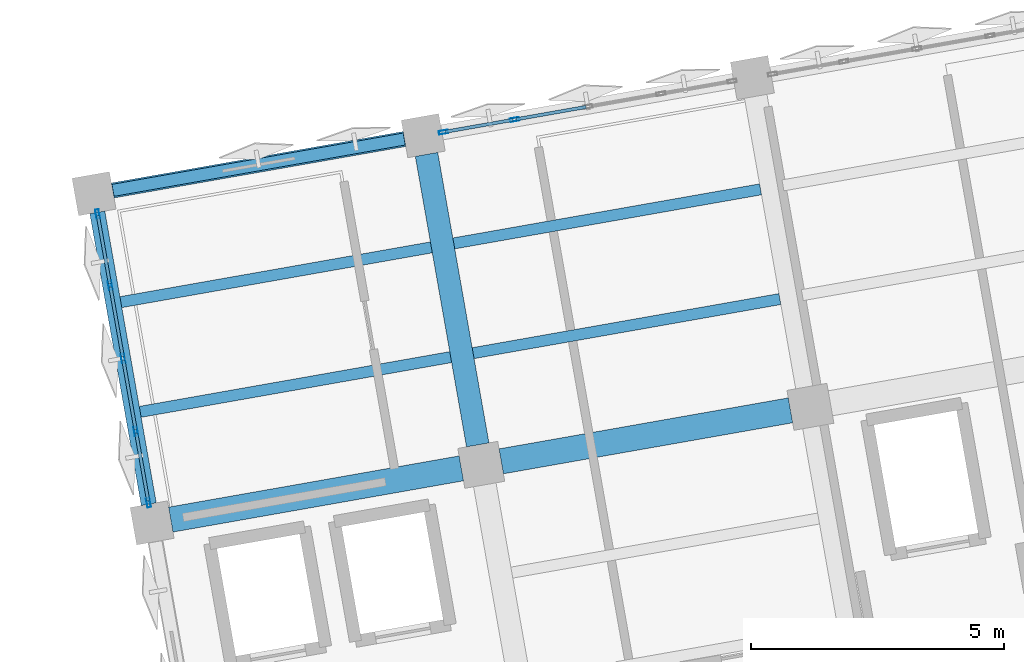
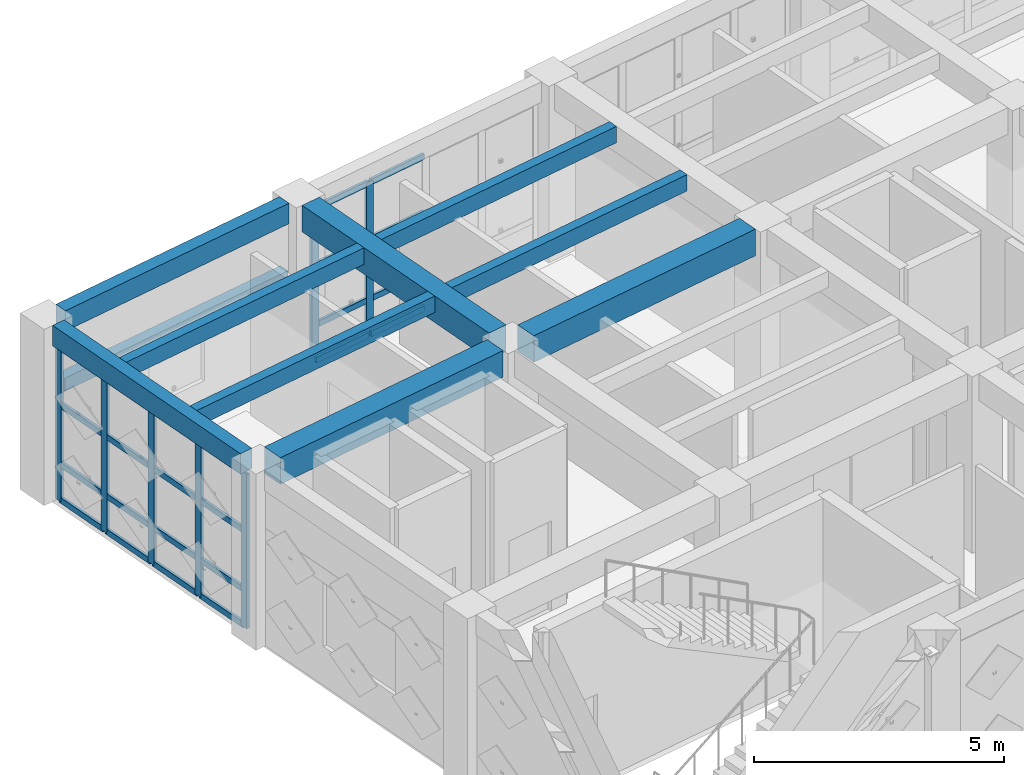
# One storey, part 20 of 80: 31 members, 10 beams, 2 elements without a shape of their own.
"""IFC4 building model written with IfcOpenShell, lengths in metres."""

from ifc_helpers import new_model, si_unit, direction, frame, origin, origin_2d, place, context, subcontext, project, spatial, rectangle, hollow_rectangle, extrude, material, layer, layer_set, material_profile, profile_set, type_object, element, aggregate, save


model = new_model("IFC4")

# Units and contexts
model_context = context("Model", 3, precision=1e-05, world=origin(), true_north=direction((0.0, 1.0)))
body_context = subcontext(model_context, "Body", "Model", "MODEL_VIEW")
ifc_project = project(units=[si_unit("LENGTHUNIT", "METRE"), si_unit("AREAUNIT", "SQUARE_METRE"), si_unit("VOLUMEUNIT", "CUBIC_METRE"), si_unit("PLANEANGLEUNIT", "RADIAN"), si_unit("MASSUNIT", "GRAM", prefix="KILO")], contexts=[model_context])

# Site, building, storey
site_placement = place(None, origin())
site = spatial("IfcSite", under=ifc_project, at=site_placement, CompositionType="ELEMENT")
building_placement = place(site_placement, origin())
building = spatial("IfcBuilding", under=site, at=building_placement, Name="Kharisveld Research Institute", CompositionType="ELEMENT")
storey_placement = place(building_placement, frame((0.0, 0.0, 5.10009765625)))
storey = spatial("IfcBuildingStorey", under=building, at=storey_placement, Name="L01", CompositionType="ELEMENT", Elevation=5.10009765625)

# Beams
ifc_material_1 = material(Name="Concrete C40/50", Category="concrete")
ifc_material_profile_1 = material_profile(ifc_material_1, rectangle(XDim=0.449951171875, YDim=0.64990234375, at=origin_2d()))
ifc_profile_set_1 = profile_set([ifc_material_profile_1], Name="Concrete C40/50")
beam_type_1 = type_object("IfcBeamType", Name="BM_RC_450x650", PredefinedType="BEAM", material=ifc_profile_set_1)
beam_1_placement = place(storey_placement, frame((9.338134765625, 49.549560546875, 3.98486328125), z_axis=(-0.173649041937, 0.984807600618, 0.0), x_axis=(-0.984807600618, -0.173649041937, 0.0)))
element("IfcBeam", 1, at=beam_1_placement, inside=storey, type_object=beam_type_1, Name="BM:V1:L01:V1_2", PredefinedType="BEAM", context=body_context, shape_type="SweptSolid", body=[
    extrude(rectangle(XDim=0.449951171875, YDim=0.64990234375, at=origin_2d()), origin(), (0.0, 0.0, 1.0), 5.82470703125),
])
ifc_material_2 = material(Name="Concrete C40/50", Category="concrete")
ifc_material_profile_2 = material_profile(ifc_material_2, rectangle(XDim=0.5, YDim=0.64990234375, at=origin_2d()))
ifc_profile_set_2 = profile_set([ifc_material_profile_2], Name="Concrete C40/50")
beam_type_2 = type_object("IfcBeamType", Name="BM_RC_500x650", PredefinedType="BEAM", material=ifc_profile_set_2)
beam_2_placement = place(storey_placement, frame((3.277099609375, 48.074462890625, 3.98486328125), z_axis=(0.984801696481, 0.173682522459, 0.0), x_axis=(-0.173682522459, 0.984801696481, 0.0)))
element("IfcBeam", 2, at=beam_2_placement, inside=storey, type_object=beam_type_2, Name="BM:V1:L01:U0_2", PredefinedType="BEAM", context=body_context, shape_type="SweptSolid", body=[
    extrude(rectangle(XDim=0.5, YDim=0.64990234375, at=origin_2d()), origin(), (0.0, 0.0, 1.0), 5.8251953125),
])
beam_3_placement = place(storey_placement, frame((9.801513671875, 49.22509765625, 3.98486328125), z_axis=(0.984810243831, 0.17363405094, 0.0), x_axis=(-0.17363405094, 0.984810243831, 0.0)))
element("IfcBeam", 3, at=beam_3_placement, inside=storey, type_object=beam_type_2, Name="BM:V1:L01:U1_2", PredefinedType="BEAM", context=body_context, shape_type="SweptSolid", body=[
    extrude(rectangle(XDim=0.5, YDim=0.64990234375, at=origin_2d()), origin(), (0.0, 0.0, 1.0), 5.800048828125),
])

# Curtain wall, members
ifc_material_3 = material(Name="Thermally Broken Aluminium Curtain Wall", Category="aluminium")
ifc_layer_1 = layer(ifc_material_3, 0.159912109375)
ifc_layer_set_1 = layer_set([ifc_layer_1], Name="CW_SYS_02")
curtain_wall_type_1 = type_object("IfcCurtainWallType", Name="CW_SYS_02", PredefinedType="NOTDEFINED", material=ifc_layer_set_1)
curtain_wall_1_placement = place(storey_placement, origin())
curtain_wall_1 = element("IfcCurtainWall", 4, at=curtain_wall_1_placement, inside=storey, type_object=curtain_wall_type_1, Name="CW:V1:L01:W2", PredefinedType="NOTDEFINED")
ifc_material_4 = material(Name="Anodised Aluminium AW-6063-T6", Category="aluminium")
ifc_material_profile_3 = material_profile(ifc_material_4, hollow_rectangle(XDim=0.070068359375, YDim=0.179931640625, WallThickness=0.00439453125, at=origin_2d()))
ifc_profile_set_3 = profile_set([ifc_material_profile_3], Name="Anodised Aluminium AW-6063-T6")
member_type_1 = type_object("IfcMemberType", Name="CW_MUL_180", PredefinedType="MULLION", material=ifc_profile_set_3)
member_1_placement = place(storey_placement, frame((2.83740234375, 48.408203125, 0.0), z_axis=(0.0, 0.0, 1.0), x_axis=(-0.984807765302, -0.173648107969, 0.0)))
member_1 = element("IfcMember", 5, at=member_1_placement, type_object=member_type_1, Name="CW-02 mullion 1", PredefinedType="MULLION", context=body_context, shape_type="SweptSolid", body=[
    extrude(hollow_rectangle(XDim=0.070068359375, YDim=0.179931640625, WallThickness=0.00439453125, at=origin_2d()), origin(), (0.0, 0.0, 1.0), 3.77978515625),
])
member_2_placement = place(storey_placement, frame((2.589111328125, 49.816650390625, 0.0), z_axis=(0.0, 0.0, 1.0), x_axis=(-0.984807765302, -0.173648107969, 0.0)))
member_2 = element("IfcMember", 6, at=member_2_placement, type_object=member_type_1, Name="CW-02 mullion 2", PredefinedType="MULLION", context=body_context, shape_type="SweptSolid", body=[
    extrude(hollow_rectangle(XDim=0.070068359375, YDim=0.179931640625, WallThickness=0.00439453125, at=origin_2d()), origin(), (0.0, 0.0, 1.0), 3.77978515625),
])
member_3_placement = place(storey_placement, frame((2.334716796875, 51.25927734375, 0.0), z_axis=(0.0, 0.0, 1.0), x_axis=(-0.984807765302, -0.173648107969, 0.0)))
member_3 = element("IfcMember", 7, at=member_3_placement, type_object=member_type_1, Name="CW-02 mullion 3", PredefinedType="MULLION", context=body_context, shape_type="SweptSolid", body=[
    extrude(hollow_rectangle(XDim=0.070068359375, YDim=0.179931640625, WallThickness=0.00439453125, at=origin_2d()), origin(), (0.0, 0.0, 1.0), 3.77978515625),
])
member_4_placement = place(storey_placement, frame((2.080322265625, 52.7021484375, 0.0), z_axis=(0.0, 0.0, 1.0), x_axis=(-0.984807765302, -0.173648107969, 0.0)))
member_4 = element("IfcMember", 8, at=member_4_placement, type_object=member_type_1, Name="CW-02 mullion 4", PredefinedType="MULLION", context=body_context, shape_type="SweptSolid", body=[
    extrude(hollow_rectangle(XDim=0.070068359375, YDim=0.179931640625, WallThickness=0.00439453125, at=origin_2d()), origin(), (0.0, 0.0, 1.0), 3.77978515625),
])
member_5_placement = place(storey_placement, frame((1.83203125, 54.1103515625, 0.0), z_axis=(0.0, 0.0, 1.0), x_axis=(-0.984807765302, -0.173648107969, 0.0)))
member_5 = element("IfcMember", 9, at=member_5_placement, type_object=member_type_1, Name="CW-02 mullion 5", PredefinedType="MULLION", context=body_context, shape_type="SweptSolid", body=[
    extrude(hollow_rectangle(XDim=0.070068359375, YDim=0.179931640625, WallThickness=0.00439453125, at=origin_2d()), origin(), (0.0, 0.0, 1.0), 3.77978515625),
])

ifc_material_5 = material(Name="Thermally Broken Aluminium Curtain Wall", Category="aluminium")
ifc_layer_2 = layer(ifc_material_5, 0.159912109375)
ifc_layer_set_2 = layer_set([ifc_layer_2], Name="CW_SYS_03")
curtain_wall_type_2 = type_object("IfcCurtainWallType", Name="CW_SYS_03", PredefinedType="NOTDEFINED", material=ifc_layer_set_2)
curtain_wall_2_placement = place(storey_placement, origin())
curtain_wall_2 = element("IfcCurtainWall", 10, at=curtain_wall_2_placement, inside=storey, type_object=curtain_wall_type_2, Name="CW:V1:L01:N1", PredefinedType="NOTDEFINED")
member_6_placement = place(storey_placement, frame((8.660400390625, 55.7255859375, 0.0), z_axis=(0.0, 0.0, 1.0), x_axis=(-0.173648137137, 0.984807760159, 0.0)))
member_6 = element("IfcMember", 11, at=member_6_placement, type_object=member_type_1, Name="CW-03 mullion 1", PredefinedType="MULLION", context=body_context, shape_type="SweptSolid", body=[
    extrude(hollow_rectangle(XDim=0.070068359375, YDim=0.179931640625, WallThickness=0.00439453125, at=origin_2d()), origin(), (0.0, 0.0, 1.0), 3.77978515625),
])
member_7_placement = place(storey_placement, frame((10.068603515625, 55.973876953125, 0.0), z_axis=(0.0, 0.0, 1.0), x_axis=(-0.173648137137, 0.984807760159, 0.0)))
member_7 = element("IfcMember", 12, at=member_7_placement, type_object=member_type_1, Name="CW-03 mullion 2", PredefinedType="MULLION", context=body_context, shape_type="SweptSolid", body=[
    extrude(hollow_rectangle(XDim=0.070068359375, YDim=0.179931640625, WallThickness=0.00439453125, at=origin_2d()), origin(), (0.0, 0.0, 1.0), 3.77978515625),
])

# Member
ifc_material_6 = material(Name="Anodised Aluminium AW-6063-T6", Category="aluminium")
ifc_material_profile_4 = material_profile(ifc_material_6, hollow_rectangle(XDim=0.06494140625, YDim=0.139892578125, WallThickness=0.00390625, at=origin_2d()))
ifc_profile_set_4 = profile_set([ifc_material_profile_4], Name="Anodised Aluminium AW-6063-T6")
member_type_2 = type_object("IfcMemberType", Name="CW_TRN_140", PredefinedType="USERDEFINED", material=ifc_profile_set_4)
member_8_placement = place(storey_placement, frame((2.83154296875, 48.44287109375, 0.032470703125), z_axis=(-0.173764852962, 0.984787172883, 0.0), x_axis=(-0.984787172883, -0.173764852962, 0.0)))
member_8 = element("IfcMember", 13, at=member_8_placement, type_object=member_type_2, Name="CW-02 transom 1.1", ObjectType="TRANSOM", PredefinedType="USERDEFINED", context=body_context, shape_type="SweptSolid", body=[
    extrude(hollow_rectangle(XDim=0.06494140625, YDim=0.139892578125, WallThickness=0.00390625, at=origin_2d()), origin(), (0.0, 0.0, 1.0), 1.360107421875),
])

member_9_placement = place(storey_placement, frame((2.83154296875, 48.44287109375, 0.89990234375), z_axis=(-0.173764852962, 0.984787172883, 0.0), x_axis=(-0.984787172883, -0.173764852962, 0.0)))
member_9 = element("IfcMember", 14, at=member_9_placement, type_object=member_type_2, Name="CW-02 transom 1.2", ObjectType="TRANSOM", PredefinedType="USERDEFINED", context=body_context, shape_type="SweptSolid", body=[
    extrude(hollow_rectangle(XDim=0.06494140625, YDim=0.139892578125, WallThickness=0.00390625, at=origin_2d()), origin(), (0.0, 0.0, 1.0), 1.360107421875),
])

member_10_placement = place(storey_placement, frame((2.83154296875, 48.44287109375, 2.349853515625), z_axis=(-0.173764852962, 0.984787172883, 0.0), x_axis=(-0.984787172883, -0.173764852962, 0.0)))
member_10 = element("IfcMember", 15, at=member_10_placement, type_object=member_type_2, Name="CW-02 transom 1.3", ObjectType="TRANSOM", PredefinedType="USERDEFINED", context=body_context, shape_type="SweptSolid", body=[
    extrude(hollow_rectangle(XDim=0.06494140625, YDim=0.139892578125, WallThickness=0.00390625, at=origin_2d()), origin(), (0.0, 0.0, 1.0), 1.360107421875),
])

member_11_placement = place(storey_placement, frame((2.83154296875, 48.44287109375, 3.747314453125), z_axis=(-0.173764852962, 0.984787172883, 0.0), x_axis=(-0.984787172883, -0.173764852962, 0.0)))
member_11 = element("IfcMember", 16, at=member_11_placement, type_object=member_type_2, Name="CW-02 transom 1.4", ObjectType="TRANSOM", PredefinedType="USERDEFINED", context=body_context, shape_type="SweptSolid", body=[
    extrude(hollow_rectangle(XDim=0.06494140625, YDim=0.139892578125, WallThickness=0.00390625, at=origin_2d()), origin(), (0.0, 0.0, 1.0), 1.360107421875),
])

member_12_placement = place(storey_placement, frame((2.5830078125, 49.85107421875, 0.032470703125), z_axis=(-0.173615601311, 0.984813496547, 0.0), x_axis=(-0.984813496547, -0.173615601311, 0.0)))
member_12 = element("IfcMember", 17, at=member_12_placement, type_object=member_type_2, Name="CW-02 transom 2.1", ObjectType="TRANSOM", PredefinedType="USERDEFINED", context=body_context, shape_type="SweptSolid", body=[
    extrude(hollow_rectangle(XDim=0.06494140625, YDim=0.139892578125, WallThickness=0.00390625, at=origin_2d()), origin(), (0.0, 0.0, 1.0), 1.39501953125),
])

member_13_placement = place(storey_placement, frame((2.5830078125, 49.85107421875, 0.89990234375), z_axis=(-0.173615601311, 0.984813496547, 0.0), x_axis=(-0.984813496547, -0.173615601311, 0.0)))
member_13 = element("IfcMember", 18, at=member_13_placement, type_object=member_type_2, Name="CW-02 transom 2.2", ObjectType="TRANSOM", PredefinedType="USERDEFINED", context=body_context, shape_type="SweptSolid", body=[
    extrude(hollow_rectangle(XDim=0.06494140625, YDim=0.139892578125, WallThickness=0.00390625, at=origin_2d()), origin(), (0.0, 0.0, 1.0), 1.39501953125),
])

member_14_placement = place(storey_placement, frame((2.5830078125, 49.85107421875, 2.349853515625), z_axis=(-0.173615601311, 0.984813496547, 0.0), x_axis=(-0.984813496547, -0.173615601311, 0.0)))
member_14 = element("IfcMember", 19, at=member_14_placement, type_object=member_type_2, Name="CW-02 transom 2.3", ObjectType="TRANSOM", PredefinedType="USERDEFINED", context=body_context, shape_type="SweptSolid", body=[
    extrude(hollow_rectangle(XDim=0.06494140625, YDim=0.139892578125, WallThickness=0.00390625, at=origin_2d()), origin(), (0.0, 0.0, 1.0), 1.39501953125),
])

member_15_placement = place(storey_placement, frame((2.5830078125, 49.85107421875, 3.747314453125), z_axis=(-0.173615601311, 0.984813496547, 0.0), x_axis=(-0.984813496547, -0.173615601311, 0.0)))
member_15 = element("IfcMember", 20, at=member_15_placement, type_object=member_type_2, Name="CW-02 transom 2.4", ObjectType="TRANSOM", PredefinedType="USERDEFINED", context=body_context, shape_type="SweptSolid", body=[
    extrude(hollow_rectangle(XDim=0.06494140625, YDim=0.139892578125, WallThickness=0.00390625, at=origin_2d()), origin(), (0.0, 0.0, 1.0), 1.39501953125),
])

member_16_placement = place(storey_placement, frame((2.32861328125, 51.293701171875, 0.032470703125), z_axis=(-0.173585682375, 0.984818770574, 0.0), x_axis=(-0.984818770574, -0.173585682375, 0.0)))
member_16 = element("IfcMember", 21, at=member_16_placement, type_object=member_type_2, Name="CW-02 transom 3.1", ObjectType="TRANSOM", PredefinedType="USERDEFINED", context=body_context, shape_type="SweptSolid", body=[
    extrude(hollow_rectangle(XDim=0.06494140625, YDim=0.139892578125, WallThickness=0.00390625, at=origin_2d()), origin(), (0.0, 0.0, 1.0), 1.395263671875),
])

member_17_placement = place(storey_placement, frame((2.32861328125, 51.293701171875, 0.89990234375), z_axis=(-0.173585682375, 0.984818770574, 0.0), x_axis=(-0.984818770574, -0.173585682375, 0.0)))
member_17 = element("IfcMember", 22, at=member_17_placement, type_object=member_type_2, Name="CW-02 transom 3.2", ObjectType="TRANSOM", PredefinedType="USERDEFINED", context=body_context, shape_type="SweptSolid", body=[
    extrude(hollow_rectangle(XDim=0.06494140625, YDim=0.139892578125, WallThickness=0.00390625, at=origin_2d()), origin(), (0.0, 0.0, 1.0), 1.395263671875),
])

member_18_placement = place(storey_placement, frame((2.32861328125, 51.293701171875, 2.349853515625), z_axis=(-0.173585682375, 0.984818770574, 0.0), x_axis=(-0.984818770574, -0.173585682375, 0.0)))
member_18 = element("IfcMember", 23, at=member_18_placement, type_object=member_type_2, Name="CW-02 transom 3.3", ObjectType="TRANSOM", PredefinedType="USERDEFINED", context=body_context, shape_type="SweptSolid", body=[
    extrude(hollow_rectangle(XDim=0.06494140625, YDim=0.139892578125, WallThickness=0.00390625, at=origin_2d()), origin(), (0.0, 0.0, 1.0), 1.395263671875),
])

member_19_placement = place(storey_placement, frame((2.32861328125, 51.293701171875, 3.747314453125), z_axis=(-0.173585682375, 0.984818770574, 0.0), x_axis=(-0.984818770574, -0.173585682375, 0.0)))
member_19 = element("IfcMember", 24, at=member_19_placement, type_object=member_type_2, Name="CW-02 transom 3.4", ObjectType="TRANSOM", PredefinedType="USERDEFINED", context=body_context, shape_type="SweptSolid", body=[
    extrude(hollow_rectangle(XDim=0.06494140625, YDim=0.139892578125, WallThickness=0.00390625, at=origin_2d()), origin(), (0.0, 0.0, 1.0), 1.395263671875),
])

member_20_placement = place(storey_placement, frame((2.07421875, 52.736572265625, 0.032470703125), z_axis=(-0.173590755813, 0.984817876308, 0.0), x_axis=(-0.984817876308, -0.173590755813, 0.0)))
member_20 = element("IfcMember", 25, at=member_20_placement, type_object=member_type_2, Name="CW-02 transom 4.1", ObjectType="TRANSOM", PredefinedType="USERDEFINED", context=body_context, shape_type="SweptSolid", body=[
    extrude(hollow_rectangle(XDim=0.06494140625, YDim=0.139892578125, WallThickness=0.00390625, at=origin_2d()), origin(), (0.0, 0.0, 1.0), 1.360107421875),
])

member_21_placement = place(storey_placement, frame((2.07421875, 52.736572265625, 0.89990234375), z_axis=(-0.173590755813, 0.984817876308, 0.0), x_axis=(-0.984817876308, -0.173590755813, 0.0)))
member_21 = element("IfcMember", 26, at=member_21_placement, type_object=member_type_2, Name="CW-02 transom 4.2", ObjectType="TRANSOM", PredefinedType="USERDEFINED", context=body_context, shape_type="SweptSolid", body=[
    extrude(hollow_rectangle(XDim=0.06494140625, YDim=0.139892578125, WallThickness=0.00390625, at=origin_2d()), origin(), (0.0, 0.0, 1.0), 1.360107421875),
])

member_22_placement = place(storey_placement, frame((2.07421875, 52.736572265625, 2.349853515625), z_axis=(-0.173590755813, 0.984817876308, 0.0), x_axis=(-0.984817876308, -0.173590755813, 0.0)))
member_22 = element("IfcMember", 27, at=member_22_placement, type_object=member_type_2, Name="CW-02 transom 4.3", ObjectType="TRANSOM", PredefinedType="USERDEFINED", context=body_context, shape_type="SweptSolid", body=[
    extrude(hollow_rectangle(XDim=0.06494140625, YDim=0.139892578125, WallThickness=0.00390625, at=origin_2d()), origin(), (0.0, 0.0, 1.0), 1.360107421875),
])

member_23_placement = place(storey_placement, frame((2.07421875, 52.736572265625, 3.747314453125), z_axis=(-0.173590755813, 0.984817876308, 0.0), x_axis=(-0.984817876308, -0.173590755813, 0.0)))
member_23 = element("IfcMember", 28, at=member_23_placement, type_object=member_type_2, Name="CW-02 transom 4.4", ObjectType="TRANSOM", PredefinedType="USERDEFINED", context=body_context, shape_type="SweptSolid", body=[
    extrude(hollow_rectangle(XDim=0.06494140625, YDim=0.139892578125, WallThickness=0.00390625, at=origin_2d()), origin(), (0.0, 0.0, 1.0), 1.360107421875),
])

aggregate(curtain_wall_1, [member_1, member_2, member_3, member_4, member_5, member_8, member_9, member_10, member_11, member_12, member_13, member_14, member_15, member_16, member_17, member_18, member_19, member_20, member_21, member_22, member_23])

member_24_placement = place(storey_placement, frame((8.69482421875, 55.731689453125, 0.032470703125), z_axis=(0.984817876308, 0.173590755813, 0.0), x_axis=(-0.173590755813, 0.984817876308, 0.0)))
member_24 = element("IfcMember", 29, at=member_24_placement, type_object=member_type_2, Name="CW-03 transom 1.1", ObjectType="TRANSOM", PredefinedType="USERDEFINED", context=body_context, shape_type="SweptSolid", body=[
    extrude(hollow_rectangle(XDim=0.06494140625, YDim=0.139892578125, WallThickness=0.00390625, at=origin_2d()), origin(), (0.0, 0.0, 1.0), 1.360107421875),
])

member_25_placement = place(storey_placement, frame((8.69482421875, 55.731689453125, 0.89990234375), z_axis=(0.984817876308, 0.173590755813, 0.0), x_axis=(-0.173590755813, 0.984817876308, 0.0)))
member_25 = element("IfcMember", 30, at=member_25_placement, type_object=member_type_2, Name="CW-03 transom 1.2", ObjectType="TRANSOM", PredefinedType="USERDEFINED", context=body_context, shape_type="SweptSolid", body=[
    extrude(hollow_rectangle(XDim=0.06494140625, YDim=0.139892578125, WallThickness=0.00390625, at=origin_2d()), origin(), (0.0, 0.0, 1.0), 1.360107421875),
])

member_26_placement = place(storey_placement, frame((8.69482421875, 55.731689453125, 2.349853515625), z_axis=(0.984817876308, 0.173590755813, 0.0), x_axis=(-0.173590755813, 0.984817876308, 0.0)))
member_26 = element("IfcMember", 31, at=member_26_placement, type_object=member_type_2, Name="CW-03 transom 1.3", ObjectType="TRANSOM", PredefinedType="USERDEFINED", context=body_context, shape_type="SweptSolid", body=[
    extrude(hollow_rectangle(XDim=0.06494140625, YDim=0.139892578125, WallThickness=0.00390625, at=origin_2d()), origin(), (0.0, 0.0, 1.0), 1.360107421875),
])

member_27_placement = place(storey_placement, frame((8.69482421875, 55.731689453125, 3.747314453125), z_axis=(0.984817876308, 0.173590755813, 0.0), x_axis=(-0.173590755813, 0.984817876308, 0.0)))
member_27 = element("IfcMember", 32, at=member_27_placement, type_object=member_type_2, Name="CW-03 transom 1.4", ObjectType="TRANSOM", PredefinedType="USERDEFINED", context=body_context, shape_type="SweptSolid", body=[
    extrude(hollow_rectangle(XDim=0.06494140625, YDim=0.139892578125, WallThickness=0.00390625, at=origin_2d()), origin(), (0.0, 0.0, 1.0), 1.360107421875),
])

member_28_placement = place(storey_placement, frame((10.10302734375, 55.97998046875, 0.032470703125), z_axis=(0.984813496547, 0.173615601311, 0.0), x_axis=(-0.173615601311, 0.984813496547, 0.0)))
member_28 = element("IfcMember", 33, at=member_28_placement, type_object=member_type_2, Name="CW-03 transom 2.1", ObjectType="TRANSOM", PredefinedType="USERDEFINED", context=body_context, shape_type="SweptSolid", body=[
    extrude(hollow_rectangle(XDim=0.06494140625, YDim=0.139892578125, WallThickness=0.00390625, at=origin_2d()), origin(), (0.0, 0.0, 1.0), 1.39501953125),
])

member_29_placement = place(storey_placement, frame((10.10302734375, 55.97998046875, 0.89990234375), z_axis=(0.984813496547, 0.173615601311, 0.0), x_axis=(-0.173615601311, 0.984813496547, 0.0)))
member_29 = element("IfcMember", 34, at=member_29_placement, type_object=member_type_2, Name="CW-03 transom 2.2", ObjectType="TRANSOM", PredefinedType="USERDEFINED", context=body_context, shape_type="SweptSolid", body=[
    extrude(hollow_rectangle(XDim=0.06494140625, YDim=0.139892578125, WallThickness=0.00390625, at=origin_2d()), origin(), (0.0, 0.0, 1.0), 1.39501953125),
])

member_30_placement = place(storey_placement, frame((10.10302734375, 55.97998046875, 2.349853515625), z_axis=(0.984813496547, 0.173615601311, 0.0), x_axis=(-0.173615601311, 0.984813496547, 0.0)))
member_30 = element("IfcMember", 35, at=member_30_placement, type_object=member_type_2, Name="CW-03 transom 2.3", ObjectType="TRANSOM", PredefinedType="USERDEFINED", context=body_context, shape_type="SweptSolid", body=[
    extrude(hollow_rectangle(XDim=0.06494140625, YDim=0.139892578125, WallThickness=0.00390625, at=origin_2d()), origin(), (0.0, 0.0, 1.0), 1.39501953125),
])

member_31_placement = place(storey_placement, frame((10.10302734375, 55.97998046875, 3.747314453125), z_axis=(0.984813496547, 0.173615601311, 0.0), x_axis=(-0.173615601311, 0.984813496547, 0.0)))
member_31 = element("IfcMember", 36, at=member_31_placement, type_object=member_type_2, Name="CW-03 transom 2.4", ObjectType="TRANSOM", PredefinedType="USERDEFINED", context=body_context, shape_type="SweptSolid", body=[
    extrude(hollow_rectangle(XDim=0.06494140625, YDim=0.139892578125, WallThickness=0.00390625, at=origin_2d()), origin(), (0.0, 0.0, 1.0), 1.39501953125),
])

aggregate(curtain_wall_2, [member_6, member_7, member_24, member_25, member_26, member_27, member_28, member_29, member_30, member_31])

# Beams
ifc_material_7 = material(Name="Concrete C35/45", Category="concrete")
ifc_material_profile_5 = material_profile(ifc_material_7, rectangle(XDim=0.239990234375, YDim=0.320068359375, at=origin_2d()))
ifc_profile_set_5 = profile_set([ifc_material_profile_5], Name="Concrete C35/45")
beam_type_3 = type_object("IfcBeamType", Name="LN_RC_240x320", PredefinedType="LINTEL", material=ifc_profile_set_5)
beam_4_placement = place(storey_placement, frame((2.135986328125, 54.5751953125, 2.47998046875), z_axis=(0.984805856183, 0.173658934779, 0.0), x_axis=(-0.173658934779, 0.984805856183, 0.0)))
element("IfcBeam", 37, at=beam_4_placement, inside=storey, type_object=beam_type_3, Name="BM:V1:L01:LINTEL_N0", PredefinedType="LINTEL", context=body_context, shape_type="SweptSolid", body=[
    extrude(rectangle(XDim=0.239990234375, YDim=0.320068359375, at=origin_2d()), origin(), (0.0, 0.0, 1.0), 5.83984375),
])
ifc_material_8 = material(Name="Concrete C40/50", Category="concrete")
ifc_material_profile_6 = material_profile(ifc_material_8, rectangle(XDim=0.300048828125, YDim=0.5, at=origin_2d()))
ifc_profile_set_6 = profile_set([ifc_material_profile_6], Name="Concrete C40/50")
beam_type_4 = type_object("IfcBeamType", Name="SP_RC_300x500", PredefinedType="SPANDREL", material=ifc_profile_set_6)
beam_5_placement = place(storey_placement, frame((2.131103515625, 54.57421875, 4.059814453125), z_axis=(0.984806238245, 0.17365676812, 0.0), x_axis=(-0.17365676812, 0.984806238245, 0.0)))
element("IfcBeam", 38, at=beam_5_placement, inside=storey, type_object=beam_type_4, Name="BM:V1:L01:U0_3", PredefinedType="SPANDREL", context=body_context, shape_type="SweptSolid", body=[
    extrude(rectangle(XDim=0.300048828125, YDim=0.5, at=origin_2d()), origin(), (0.0, 0.0, 1.0), 5.849853515625),
])
beam_6_placement = place(storey_placement, frame((2.8427734375, 48.378662109375, 4.059814453125), z_axis=(-0.173649631067, 0.984807496737, 0.0), x_axis=(-0.984807496737, -0.173649631067, 0.0)))
element("IfcBeam", 39, at=beam_6_placement, inside=storey, type_object=beam_type_4, Name="BM:V1:L01:V0_2", PredefinedType="SPANDREL", context=body_context, shape_type="SweptSolid", body=[
    extrude(rectangle(XDim=0.300048828125, YDim=0.5, at=origin_2d()), origin(), (0.0, 0.0, 1.0), 5.85009765625),
])
ifc_material_9 = material(Name="Concrete C40/50", Category="concrete")
ifc_material_profile_7 = material_profile(ifc_material_9, rectangle(XDim=0.219970703125, YDim=0.39990234375, at=origin_2d()))
ifc_profile_set_7 = profile_set([ifc_material_profile_7], Name="Concrete C40/50")
beam_type_5 = type_object("IfcBeamType", Name="WB_RC_220x400", PredefinedType="JOIST", material=ifc_profile_set_7)
for number, where, z_axis, x_axis, name in (
    (40, (2.673583984375, 50.2021484375, 4.10986328125), (0.984811579018, 0.17362647791, 0.0), (-0.17362647791, 0.984811579018, 0.0), "BM:V1:L01:J_0_2_R1"),
    (41, (2.29150390625, 52.36865234375, 4.10986328125), (0.984804872144, 0.173664515088, 0.0), (-0.173664515088, 0.984804872144, 0.0), "BM:V1:L01:J_0_2_R2"),
):
    element("IfcBeam", number, at=place(storey_placement, frame(where, z_axis=z_axis, x_axis=x_axis)), inside=storey, type_object=beam_type_5, Name=name, PredefinedType="JOIST", context=body_context, shape_type="SweptSolid", body=[
        extrude(rectangle(XDim=0.219970703125, YDim=0.39990234375, at=origin_2d()), origin(), (0.0, 0.0, 1.0), 6.224853515625),
    ])
for number, where, z_axis, x_axis, name in (
    (42, (9.2470703125, 51.361083984375, 4.10986328125), (0.984803134643, 0.173674367706, 0.0), (-0.173674367706, 0.984803134643, 0.0), "BM:V1:L01:J_1_2_R1"),
    (43, (8.864990234375, 53.52783203125, 4.10986328125), (0.984809923515, 0.173635867682, 0.0), (-0.173635867682, 0.984809923515, 0.0), "BM:V1:L01:J_1_2_R2"),
):
    element("IfcBeam", number, at=place(storey_placement, frame(where, z_axis=z_axis, x_axis=x_axis)), inside=storey, type_object=beam_type_5, Name=name, PredefinedType="JOIST", context=body_context, shape_type="SweptSolid", body=[
        extrude(rectangle(XDim=0.219970703125, YDim=0.39990234375, at=origin_2d()), origin(), (0.0, 0.0, 1.0), 6.150146484375),
    ])

save(model, "model.ifc")
